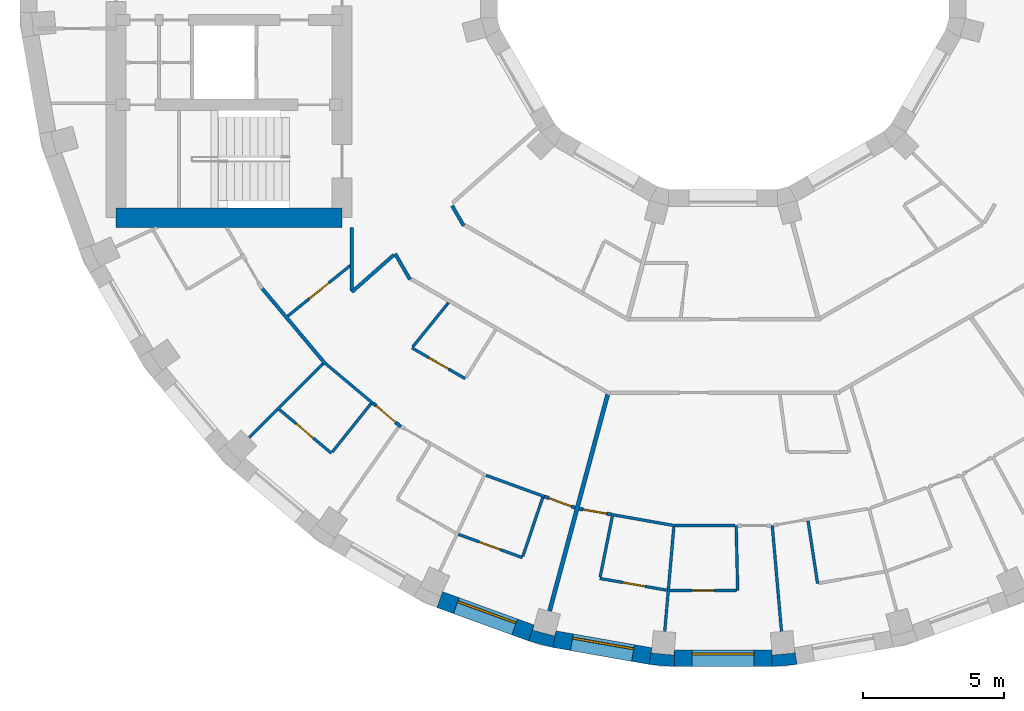
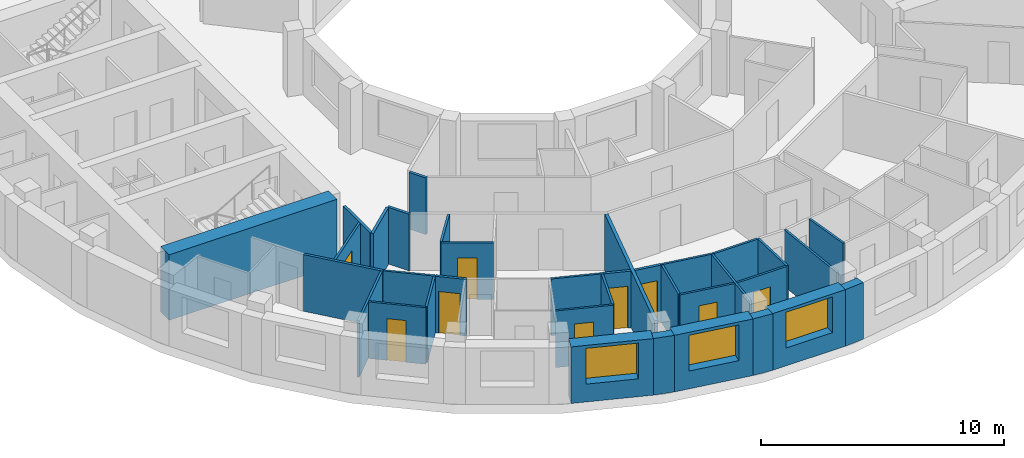
# One storey, part 4 of 14: 35 walls, 9 doors, 3 windows, 12 openings.
"""IFC4 building model written with IfcOpenShell, lengths in metres."""

import ifcopenshell
import ifcopenshell.guid

model = None  # the IFC model being written
_history = None  # IfcOwnerHistory: only IFC2X3 demands one
_inside = {}  # id of a spatial element -> (the spatial element, [elements in it])
_under = {}  # id of a project, library or spatial element -> (it, [spatial elements below it])
_declared = {}  # id of a project -> (the project, [libraries it declares])
_typed = {}  # id of a type object -> (the type object, [elements of that type])
_made_of = {}  # id of a material, layer set ... -> (it, [elements and type objects made of it])


def new_model(schema):
    """Start an empty IFC model of exactly this schema.

    Asked for "IFC4X3", IfcOpenShell would pick the latest addendum, in which some entities
    have other attributes; the version numbers below select the first issue.
    IFC2X3 requires an IfcOwnerHistory on every rooted entity: one is made here for all.
    """
    global model, _history
    if schema == "IFC4X3":
        model = ifcopenshell.file(schema_version=(4, 3, 0, 0))
    else:
        model = ifcopenshell.file(schema=schema)
    _inside.clear()
    _under.clear()
    _declared.clear()
    _typed.clear()
    _made_of.clear()
    _history = None
    if model.schema == "IFC2X3":
        org = make("IfcOrganization", Name="unknown")
        user = make(
            "IfcPersonAndOrganization",
            ThePerson=make("IfcPerson", FamilyName="unknown"),
            TheOrganization=org,
        )
        app = make(
            "IfcApplication",
            ApplicationDeveloper=org,
            Version="unknown",
            ApplicationFullName="unknown",
            ApplicationIdentifier="unknown",
        )
        _history = make(
            "IfcOwnerHistory",
            OwningUser=user,
            OwningApplication=app,
            ChangeAction="ADDED",
            CreationDate=0,
        )
    return model


def make(cls, **values):
    """One entity of the class cls with the attributes given. An attribute that is None is left unset."""
    return model.create_entity(
        cls, **{name: value for name, value in values.items() if value is not None}
    )


def rooted(cls, **values):
    """An entity with a GlobalId (a new one), such as an element, a storey or a relation."""
    return make(cls, GlobalId=ifcopenshell.guid.new(), OwnerHistory=_history, **values)


def si_unit(unit_type, name, prefix=None):
    """IfcSIUnit, for example si_unit("LENGTHUNIT", "METRE", prefix="MILLI")."""
    return make("IfcSIUnit", UnitType=unit_type, Prefix=prefix, Name=name)


def assignment(units):
    """IfcUnitAssignment: the units of a project."""
    return None if units is None else make("IfcUnitAssignment", Units=units)


def point(xyz):
    """IfcCartesianPoint."""
    return None if xyz is None else make("IfcCartesianPoint", Coordinates=xyz)


def direction(xyz):
    """IfcDirection."""
    return None if xyz is None else make("IfcDirection", DirectionRatios=xyz)


def frame(location, z_axis=None, x_axis=None):
    """IfcAxis2Placement3D, a coordinate frame: its origin and axes. An axis left out is left unset."""
    return make(
        "IfcAxis2Placement3D",
        Location=point(location),
        Axis=direction(z_axis),
        RefDirection=direction(x_axis),
    )


def frame_2d(location, x_axis=None):
    """IfcAxis2Placement2D, a coordinate frame in the plane: its origin and x axis."""
    return make(
        "IfcAxis2Placement2D", Location=point(location), RefDirection=direction(x_axis)
    )


def origin():
    """The frame at (0, 0, 0) with its axes left unset."""
    return frame((0.0, 0.0, 0.0))


def place(relative_to, where):
    """IfcLocalPlacement: puts the frame where relative to a parent placement (None: the world)."""
    return make(
        "IfcLocalPlacement", PlacementRelTo=relative_to, RelativePlacement=where
    )


def context(
    kind, dimensions, precision=None, world=None, true_north=None, identifier=None
):
    """IfcGeometricRepresentationContext, for example the 3D "Model" context."""
    return make(
        "IfcGeometricRepresentationContext",
        ContextIdentifier=identifier,
        ContextType=kind,
        CoordinateSpaceDimension=dimensions,
        Precision=precision,
        WorldCoordinateSystem=world,
        TrueNorth=true_north,
    )


def subcontext(parent, identifier, kind, view, scale=None):
    """IfcGeometricRepresentationSubContext, for example "Body" below "Model"."""
    return make(
        "IfcGeometricRepresentationSubContext",
        ContextIdentifier=identifier,
        ContextType=kind,
        ParentContext=parent,
        TargetScale=scale,
        TargetView=view,
    )


def project(units=None, contexts=None):
    """IfcProject with its units and contexts."""
    return rooted(
        "IfcProject",
        Name="project",
        RepresentationContexts=contexts,
        UnitsInContext=assignment(units),
    )


def spatial(cls, under=None, at=None, **own):
    """A site, building, storey or space (cls), placed at a placement, below another one or the project."""
    s = rooted(cls, ObjectPlacement=at, **own)
    if under is not None:
        _under.setdefault(under.id(), (under, []))[1].append(s)
    return s


def polyline(points):
    """IfcPolyline through the points."""
    return make("IfcPolyline", Points=[point(p) for p in points])


def profile(cls, at=None, kind="AREA", **sizes):
    """A parametric profile (cls). Its sizes go by their IFC names, for example OverallWidth=200.0."""
    return make(cls, ProfileType=kind, Position=at, **sizes)


def rectangle(**sizes):
    """IfcRectangleProfileDef."""
    return profile("IfcRectangleProfileDef", **sizes)


def outline(outer, holes=None, kind="AREA"):
    """IfcArbitraryClosedProfileDef: a profile drawn as a closed curve; with holes, ...WithVoids."""
    if holes is None:
        return make("IfcArbitraryClosedProfileDef", ProfileType=kind, OuterCurve=outer)
    return make(
        "IfcArbitraryProfileDefWithVoids",
        ProfileType=kind,
        OuterCurve=outer,
        InnerCurves=holes,
    )


def extrude(swept, where, along, depth):
    """IfcExtrudedAreaSolid: the profile swept, set in the frame where, extruded along a direction by depth."""
    return make(
        "IfcExtrudedAreaSolid",
        SweptArea=swept,
        Position=where,
        ExtrudedDirection=direction(along),
        Depth=depth,
    )


def shape(context_of_items, identifier, shape_type, items):
    """IfcShapeRepresentation: the items that make up one representation, for example the "Body"."""
    return make(
        "IfcShapeRepresentation",
        ContextOfItems=context_of_items,
        RepresentationIdentifier=identifier,
        RepresentationType=shape_type,
        Items=items,
    )


def material(Name=None, Category=None):
    """IfcMaterial."""
    return make("IfcMaterial", Name=Name, Category=Category)


def layer(
    of_material, thickness, ventilated=None, Name=None, Category=None, Priority=None
):
    """IfcMaterialLayer: one layer of a wall or slab, of a material (None: an air gap)."""
    return make(
        "IfcMaterialLayer",
        Material=of_material,
        LayerThickness=thickness,
        IsVentilated=ventilated,
        Name=Name,
        Category=Category,
        Priority=Priority,
    )


def layer_set(layers, Name=None):
    """IfcMaterialLayerSet."""
    return make("IfcMaterialLayerSet", MaterialLayers=layers, LayerSetName=Name)


def made_of(thing, what):
    """Note that an element or type object is made of a material, layer set ...; save() writes the relation."""
    if what is not None:
        _made_of.setdefault(what.id(), (what, []))[1].append(thing)
    return thing


def type_object(cls, material=None, **own):
    """A type object (cls), such as IfcWallType, which elements share."""
    return made_of(rooted(cls, **own), material)


def element(
    cls,
    number,
    at=None,
    inside=None,
    cuts=None,
    type_object=None,
    material=None,
    context=None,
    identifier="Body",
    shape_type=None,
    held_by="IfcProductDefinitionShape",
    body=None,
    shapes=None,
    **own,
):
    """One element of the class cls, such as IfcWall. Its Tag is "e" and its number.

    at: its placement. inside: the storey or other place that contains it. cuts: it is an
    opening in that element (IfcRelVoidsElement). A single representation is given by context,
    identifier, shape_type and body (its items); several are given by shapes. held_by: the class
    of the entity that holds the representations. save() writes the other relations.
    """
    e = rooted(cls, Tag="e%d" % number, ObjectPlacement=at, **own)
    if body is not None:
        shapes = [shape(context, identifier, shape_type, body)]
    if shapes is not None:
        e.Representation = make(held_by, Representations=shapes)
    if inside is not None:
        _inside.setdefault(inside.id(), (inside, []))[1].append(e)
    if cuts is not None:
        rooted(
            "IfcRelVoidsElement", RelatingBuildingElement=cuts, RelatedOpeningElement=e
        )
    if type_object is not None:
        _typed.setdefault(type_object.id(), (type_object, []))[1].append(e)
    return made_of(e, material)


def fill(opening, filler):
    """IfcRelFillsElement: the door or window that sits in an opening."""
    return rooted(
        "IfcRelFillsElement",
        RelatingOpeningElement=opening,
        RelatedBuildingElement=filler,
    )


def aggregate(whole, parts):
    """IfcRelAggregates: a whole, such as a stair, and the parts it consists of."""
    return rooted("IfcRelAggregates", RelatingObject=whole, RelatedObjects=parts)


def save(model, path):
    """Write the relations noted so far, then the file.

    IfcRelAggregates (storeys below a building ...), IfcRelContainedInSpatialStructure (elements
    in a storey), IfcRelDefinesByType, IfcRelAssociatesMaterial and IfcRelDeclares: one each for
    every whole, place, type object, material and project.
    """
    for whole, parts in _under.values():
        aggregate(whole, parts)
    for where, things in _inside.values():
        rooted(
            "IfcRelContainedInSpatialStructure",
            RelatedElements=things,
            RelatingStructure=where,
        )
    for kind, things in _typed.values():
        rooted("IfcRelDefinesByType", RelatedObjects=things, RelatingType=kind)
    for what, things in _made_of.values():
        rooted("IfcRelAssociatesMaterial", RelatedObjects=things, RelatingMaterial=what)
    for by, libraries in _declared.values():
        rooted("IfcRelDeclares", RelatingContext=by, RelatedDefinitions=libraries)
    model.write(path)


model = new_model("IFC4")

# Units and contexts
model_context = context("Model", 3, precision=1e-05, world=origin(), true_north=direction((0.0, 1.0)))
body_context = subcontext(model_context, "Body", "Model", "MODEL_VIEW")
ifc_project = project(units=[si_unit("LENGTHUNIT", "METRE"), si_unit("AREAUNIT", "SQUARE_METRE"), si_unit("VOLUMEUNIT", "CUBIC_METRE"), si_unit("PLANEANGLEUNIT", "RADIAN"), si_unit("MASSUNIT", "GRAM", prefix="KILO")], contexts=[model_context])

# Site, building, storey
site_placement = place(None, origin())
site = spatial("IfcSite", under=ifc_project, at=site_placement, CompositionType="ELEMENT")
building_placement = place(site_placement, origin())
building = spatial("IfcBuilding", under=site, at=building_placement, Name="Saqina Gate Tower", CompositionType="ELEMENT")
storey_placement = place(building_placement, frame((0.0, 0.0, 170.699951171875)))
storey = spatial("IfcBuildingStorey", under=building, at=storey_placement, Name="L48", CompositionType="ELEMENT", Elevation=170.699951171875)

# Walls
ifc_material_1 = material(Name="Brick masonry (buff)", Category="masonry")
wall_type_1 = type_object("IfcWallType", Name="BRICK PIER COPING BUFF", PredefinedType="SOLIDWALL", material=ifc_material_1)
wall_1_placement = place(storey_placement, origin())
element("IfcWall", 1, at=wall_1_placement, inside=storey, type_object=wall_type_1, Name="Pier cap L48 column 26", PredefinedType="SOLIDWALL", context=body_context, shape_type="SweptSolid", body=[
    extrude(outline(polyline([(-6.0234375, -24.22705078125), (-5.919189453125, -23.635986328125), (-5.967529296875, -23.81689453125), (-6.740478515625, -23.610107421875), (-6.69189453125, -23.428955078125), (-6.897216796875, -23.992919921875), (-6.0234375, -24.22705078125)])), origin(), (0.0, 0.0, 1.0), 2.85009765625),
])
wall_2_placement = place(storey_placement, origin())
element("IfcWall", 2, at=wall_2_placement, inside=storey, type_object=wall_type_1, Name="Pier cap L48 column 27", PredefinedType="SOLIDWALL", context=body_context, shape_type="SweptSolid", body=[
    extrude(outline(polyline([(-2.6259765625, -24.825927734375), (-1.724853515625, -24.90478515625), (-1.724853515625, -24.304931640625), (-1.7412109375, -24.491455078125), (-2.5380859375, -24.421630859375), (-2.521728515625, -24.235107421875), (-2.6259765625, -24.825927734375)])), origin(), (0.0, 0.0, 1.0), 2.85009765625),
])
wall_3_placement = place(storey_placement, origin())
element("IfcWall", 3, at=wall_3_placement, inside=storey, type_object=wall_type_1, Name="Pier cap L48 column 28", PredefinedType="SOLIDWALL", context=body_context, shape_type="SweptSolid", body=[
    extrude(outline(polyline([(1.724853515625, -24.90478515625), (2.6259765625, -24.825927734375), (2.521728515625, -24.235107421875), (2.5380859375, -24.421630859375), (1.7412109375, -24.491455078125), (1.724853515625, -24.304931640625), (1.724853515625, -24.90478515625)])), origin(), (0.0, 0.0, 1.0), 2.85009765625),
])

# Wall, opening, window
ifc_material_2 = material(Name="Brick masonry (buff)", Category="masonry")
ifc_layer_1 = layer(ifc_material_2, 0.60009765625)
ifc_layer_set_1 = layer_set([ifc_layer_1], Name="FW-BRICK-BUFF")
wall_type_2 = type_object("IfcWallType", Name="FW-BRICK-BUFF", PredefinedType="SOLIDWALL", material=ifc_layer_set_1)
wall_4_placement = place(storey_placement, frame((-10.0361328125, -22.531005859375, 0.0), z_axis=(0.0, 0.0, 1.0), x_axis=(0.93968799822, -0.342032843455, 0.0)))
wall_4 = element("IfcWall", 4, at=wall_4_placement, inside=storey, type_object=wall_type_2, Name="Facade wall L48 facet 25", PredefinedType="SOLIDWALL", context=body_context, shape_type="SweptSolid", body=[
    extrude(rectangle(XDim=3.44970703125, YDim=0.60009765625, at=frame_2d((1.724853515625, 0.0))), origin(), (0.0, 0.0, 1.0), 2.85009765625),
])
opening_1_placement = place(wall_4_placement, frame((0.625, 0.0, 0.89990234375)))
opening_1 = element("IfcOpeningElement", 5, at=opening_1_placement, cuts=wall_4, Name="Opening G14-W18", PredefinedType="OPENING", context=body_context, shape_type="SweptSolid", body=[
    extrude(rectangle(XDim=2.199951171875, YDim=1.800048828125, at=frame_2d((1.10009765625, 0.89990234375))), frame((0.0, 0.31201171875, 0.0), z_axis=(0.0, -1.0, 0.0), x_axis=(1.0, 0.0, 0.0)), (0.0, 0.0, 1.0), 0.6240234375),
])
ifc_material_3 = material(Name="Aluminium glazing", Category="aluminium")
window_type = type_object("IfcWindowType", Name="WN-C", PartitioningType="SINGLE_PANEL", PredefinedType="WINDOW", material=ifc_material_3)
window_1_placement = place(opening_1_placement, origin())
window_1 = element("IfcWindow", 6, at=window_1_placement, inside=storey, type_object=window_type, Name="Window L48 facet 25", OverallHeight=1.800048828125, OverallWidth=2.199951171875, PartitioningType="SINGLE_PANEL", PredefinedType="WINDOW", context=body_context, shape_type="SweptSolid", body=[
    extrude(rectangle(XDim=2.199951171875, YDim=1.800048828125, at=frame_2d((1.10009765625, 0.89990234375))), frame((0.0, 0.179931640625, 0.0), z_axis=(0.0, -1.0, 0.0), x_axis=(1.0, 0.0, 0.0)), (0.0, 0.0, 1.0), 0.06005859375),
])
fill(opening_1, window_1)

wall_5_placement = place(storey_placement, frame((-5.97119140625, -23.931640625, 0.0), z_axis=(0.0, 0.0, 1.0), x_axis=(0.984814892183, -0.173607684551, 0.0)))
wall_5 = element("IfcWall", 7, at=wall_5_placement, inside=storey, type_object=wall_type_2, Name="Facade wall L48 facet 26", PredefinedType="SOLIDWALL", context=body_context, shape_type="SweptSolid", body=[
    extrude(rectangle(XDim=3.44970703125, YDim=0.60009765625, at=frame_2d((1.724853515625, 0.0))), origin(), (0.0, 0.0, 1.0), 2.85009765625),
])
opening_2_placement = place(wall_5_placement, frame((0.625, 0.0, 0.89990234375)))
opening_2 = element("IfcOpeningElement", 8, at=opening_2_placement, cuts=wall_5, Name="Opening G14-W19", PredefinedType="OPENING", context=body_context, shape_type="SweptSolid", body=[
    extrude(rectangle(XDim=2.199951171875, YDim=1.800048828125, at=frame_2d((1.10009765625, 0.89990234375))), frame((0.0, 0.31201171875, 0.0), z_axis=(0.0, -1.0, 0.0), x_axis=(1.0, 0.0, 0.0)), (0.0, 0.0, 1.0), 0.6240234375),
])
window_2_placement = place(opening_2_placement, origin())
window_2 = element("IfcWindow", 9, at=window_2_placement, inside=storey, type_object=window_type, Name="Window L48 facet 26", OverallHeight=1.800048828125, OverallWidth=2.199951171875, PartitioningType="SINGLE_PANEL", PredefinedType="WINDOW", context=body_context, shape_type="SweptSolid", body=[
    extrude(rectangle(XDim=2.199951171875, YDim=1.800048828125, at=frame_2d((1.10009765625, 0.89990234375))), frame((0.0, 0.179931640625, 0.0), z_axis=(0.0, -1.0, 0.0), x_axis=(1.0, 0.0, 0.0)), (0.0, 0.0, 1.0), 0.06005859375),
])
fill(opening_2, window_2)

wall_6_placement = place(storey_placement, frame((-1.724853515625, -24.60498046875, 0.0), z_axis=(0.0, 0.0, 1.0), x_axis=(1.0, 0.0, 0.0)))
wall_6 = element("IfcWall", 10, at=wall_6_placement, inside=storey, type_object=wall_type_2, Name="Facade wall L48 facet 27", PredefinedType="SOLIDWALL", context=body_context, shape_type="SweptSolid", body=[
    extrude(rectangle(XDim=3.44970703125, YDim=0.60009765625, at=frame_2d((1.724853515625, 0.0))), origin(), (0.0, 0.0, 1.0), 2.85009765625),
])
opening_3_placement = place(wall_6_placement, frame((0.625, 0.0, 0.89990234375)))
opening_3 = element("IfcOpeningElement", 11, at=opening_3_placement, cuts=wall_6, Name="Opening G14-W20", PredefinedType="OPENING", context=body_context, shape_type="SweptSolid", body=[
    extrude(rectangle(XDim=2.199951171875, YDim=1.800048828125, at=frame_2d((1.10009765625, 0.89990234375))), frame((0.0, 0.31201171875, 0.0), z_axis=(0.0, -1.0, 0.0), x_axis=(1.0, 0.0, 0.0)), (0.0, 0.0, 1.0), 0.6240234375),
])
window_3_placement = place(opening_3_placement, origin())
window_3 = element("IfcWindow", 12, at=window_3_placement, inside=storey, type_object=window_type, Name="Window L48 facet 27", OverallHeight=1.800048828125, OverallWidth=2.199951171875, PartitioningType="SINGLE_PANEL", PredefinedType="WINDOW", context=body_context, shape_type="SweptSolid", body=[
    extrude(rectangle(XDim=2.199951171875, YDim=1.800048828125, at=frame_2d((1.10009765625, 0.89990234375))), frame((0.0, 0.179931640625, 0.0), z_axis=(0.0, -1.0, 0.0), x_axis=(1.0, 0.0, 0.0)), (0.0, 0.0, 1.0), 0.06005859375),
])
fill(opening_3, window_3)

# Walls
ifc_material_4 = material(Name="Gypsum board on steel studs, 100 mm", Category="steel")
ifc_layer_2 = layer(ifc_material_4, 0.10009765625)
ifc_layer_set_2 = layer_set([ifc_layer_2], Name="PARTITION 100")
wall_type_3 = type_object("IfcWallType", Name="PARTITION 100", PredefinedType="PARTITIONING", material=ifc_layer_set_2)
wall_7_placement = place(storey_placement, frame((0.462890625, -19.905029296875, 0.0), z_axis=(0.0, 0.0, 1.0), x_axis=(0.023557837766, -0.99972247563, 0.0)))
element("IfcWall", 13, at=wall_7_placement, inside=storey, type_object=wall_type_3, Name="PARTITION PW3-02", PredefinedType="PARTITIONING", context=body_context, shape_type="SweptSolid", body=[
    extrude(rectangle(XDim=2.30078125, YDim=0.10009765625, at=frame_2d((1.150390625, 0.0))), origin(), (0.0, 0.0, 1.0), 2.85009765625),
])
wall_8_placement = place(storey_placement, frame((1.740966796875, -19.905029296875, 0.0), z_axis=(0.0, 0.0, 1.0), x_axis=(0.087033201937, -0.996205411429, 0.0)))
element("IfcWall", 14, at=wall_8_placement, inside=storey, type_object=wall_type_3, Name="PARTITION PW3-05", PredefinedType="PARTITIONING", context=body_context, shape_type="SweptSolid", body=[
    extrude(rectangle(XDim=3.7587890625, YDim=0.10009765625, at=frame_2d((1.87939453125, 0.0))), origin(), (0.0, 0.0, 1.0), 2.85009765625),
])
wall_9_placement = place(storey_placement, frame((3.009521484375, -19.744873046875, 0.0), z_axis=(0.0, 0.0, 1.0), x_axis=(0.150778111259, -0.988567631053, 0.0)))
element("IfcWall", 15, at=wall_9_placement, inside=storey, type_object=wall_type_3, Name="PARTITION PW3-09", PredefinedType="PARTITIONING", context=body_context, shape_type="SweptSolid", body=[
    extrude(rectangle(XDim=2.23779296875, YDim=0.10009765625, at=frame_2d((1.118896484375, 0.0))), origin(), (0.0, 0.0, 1.0), 2.85009765625),
])

# Wall, opening, door
wall_10_placement = place(storey_placement, frame((-15.72265625, -15.793212890625, 0.0), z_axis=(0.0, 0.0, 1.0), x_axis=(0.766024146731, -0.642811797204, 0.0)))
wall_10 = element("IfcWall", 16, at=wall_10_placement, inside=storey, type_object=wall_type_3, Name="PARTITION PW3-28", PredefinedType="PARTITIONING", context=body_context, shape_type="SweptSolid", body=[
    extrude(rectangle(XDim=2.409423828125, YDim=0.10009765625, at=frame_2d((1.20458984375, 0.0))), origin(), (0.0, 0.0, 1.0), 2.85009765625),
])
opening_4_placement = place(wall_10_placement, frame((0.77978515625, 0.0, 0.0)))
opening_4 = element("IfcOpeningElement", 17, at=opening_4_placement, cuts=wall_10, Name="Opening G14-D34", PredefinedType="OPENING", context=body_context, shape_type="SweptSolid", body=[
    extrude(rectangle(XDim=0.800048828125, YDim=2.10009765625, at=frame_2d((0.39990234375, 1.050048828125))), frame((0.0, 0.06201171875, 0.0), z_axis=(0.0, -1.0, 0.0), x_axis=(1.0, 0.0, 0.0)), (0.0, 0.0, 1.0), 0.1240234375),
])
ifc_material_5 = material(Name="Timber door leaf, 800 mm", Category="wood")
door_type_1 = type_object("IfcDoorType", Name="DOOR 800 TIMBER", OperationType="SINGLE_SWING_LEFT", PredefinedType="DOOR", material=ifc_material_5)
door_1_placement = place(opening_4_placement, frame((0.800048828125, 0.0, 0.0), z_axis=(0.0, 0.0, 1.0), x_axis=(-1.0, 0.0, 0.0)))
door_1 = element("IfcDoor", 18, at=door_1_placement, inside=storey, type_object=door_type_1, Name="DOOR G14-D34", OperationType="SINGLE_SWING_RIGHT", OverallHeight=2.10009765625, OverallWidth=0.800048828125, PredefinedType="DOOR", context=body_context, shape_type="SweptSolid", body=[
    extrude(rectangle(XDim=0.800048828125, YDim=2.10009765625, at=frame_2d((0.39990234375, 1.050048828125))), frame((0.0, 0.02490234375, 0.0), z_axis=(0.0, -1.0, 0.0), x_axis=(1.0, 0.0, 0.0)), (0.0, 0.0, 1.0), 0.050048828125),
])
fill(opening_4, door_1)

# Wall
wall_11_placement = place(storey_placement, frame((-14.0810546875, -14.169189453125, 0.0), z_axis=(0.0, 0.0, 1.0), x_axis=(0.766108401036, -0.642711379907, 0.0)))
element("IfcWall", 19, at=wall_11_placement, inside=storey, type_object=wall_type_3, Name="PARTITION PW3-29", PredefinedType="PARTITIONING", context=body_context, shape_type="SweptSolid", body=[
    extrude(rectangle(XDim=2.192138671875, YDim=0.10009765625, at=frame_2d((1.09619140625, 0.0))), origin(), (0.0, 0.0, 1.0), 2.85009765625),
])

# Wall, opening, door
wall_12_placement = place(storey_placement, frame((-11.02294921875, -13.612060546875, 0.0), z_axis=(0.0, 0.0, 1.0), x_axis=(0.86608684879, -0.499893559023, 0.0)))
wall_12 = element("IfcWall", 20, at=wall_12_placement, inside=storey, type_object=wall_type_3, Name="PARTITION PW3-37", PredefinedType="PARTITIONING", context=body_context, shape_type="SweptSolid", body=[
    extrude(rectangle(XDim=2.18212890625, YDim=0.10009765625, at=frame_2d((1.091064453125, 0.0))), origin(), (0.0, 0.0, 1.0), 2.85009765625),
])
opening_5_placement = place(wall_12_placement, frame((0.691162109375, 0.0, 0.0)))
opening_5 = element("IfcOpeningElement", 21, at=opening_5_placement, cuts=wall_12, Name="Opening G14-D36", PredefinedType="OPENING", context=body_context, shape_type="SweptSolid", body=[
    extrude(rectangle(XDim=0.800048828125, YDim=2.10009765625, at=frame_2d((0.39990234375, 1.050048828125))), frame((0.0, 0.06201171875, 0.0), z_axis=(0.0, -1.0, 0.0), x_axis=(1.0, 0.0, 0.0)), (0.0, 0.0, 1.0), 0.1240234375),
])
door_2_placement = place(opening_5_placement, frame((0.800048828125, 0.0, 0.0), z_axis=(0.0, 0.0, 1.0), x_axis=(-1.0, 0.0, 0.0)))
door_2 = element("IfcDoor", 22, at=door_2_placement, inside=storey, type_object=door_type_1, Name="DOOR G14-D36", OperationType="SINGLE_SWING_RIGHT", OverallHeight=2.10009765625, OverallWidth=0.800048828125, PredefinedType="DOOR", context=body_context, shape_type="SweptSolid", body=[
    extrude(rectangle(XDim=0.800048828125, YDim=2.10009765625, at=frame_2d((0.39990234375, 1.050048828125))), frame((0.0, 0.02490234375, 0.0), z_axis=(0.0, -1.0, 0.0), x_axis=(1.0, 0.0, 0.0)), (0.0, 0.0, 1.0), 0.050048828125),
])
fill(opening_5, door_2)

wall_13_placement = place(storey_placement, frame((-9.373046875, -20.218017578125, 0.0), z_axis=(0.0, 0.0, 1.0), x_axis=(0.939707598657, -0.34197898916, 0.0)))
wall_13 = element("IfcWall", 23, at=wall_13_placement, inside=storey, type_object=wall_type_3, Name="PARTITION PW3-42", PredefinedType="PARTITIONING", context=body_context, shape_type="SweptSolid", body=[
    extrude(rectangle(XDim=2.409423828125, YDim=0.10009765625, at=frame_2d((1.20458984375, 0.0))), origin(), (0.0, 0.0, 1.0), 2.85009765625),
])
opening_6_placement = place(wall_13_placement, frame((0.779541015625, 0.0, 0.0)))
opening_6 = element("IfcOpeningElement", 24, at=opening_6_placement, cuts=wall_13, Name="Opening G14-D42", PredefinedType="OPENING", context=body_context, shape_type="SweptSolid", body=[
    extrude(rectangle(XDim=0.800048828125, YDim=2.10009765625, at=frame_2d((0.39990234375, 1.050048828125))), frame((0.0, 0.06201171875, 0.0), z_axis=(0.0, -1.0, 0.0), x_axis=(1.0, 0.0, 0.0)), (0.0, 0.0, 1.0), 0.1240234375),
])
door_3_placement = place(opening_6_placement, frame((0.800048828125, 0.0, 0.0), z_axis=(0.0, 0.0, 1.0), x_axis=(-1.0, 0.0, 0.0)))
door_3 = element("IfcDoor", 25, at=door_3_placement, inside=storey, type_object=door_type_1, Name="DOOR G14-D42", OperationType="SINGLE_SWING_RIGHT", OverallHeight=2.10009765625, OverallWidth=0.800048828125, PredefinedType="DOOR", context=body_context, shape_type="SweptSolid", body=[
    extrude(rectangle(XDim=0.800048828125, YDim=2.10009765625, at=frame_2d((0.39990234375, 1.050048828125))), frame((0.0, 0.02490234375, 0.0), z_axis=(0.0, -1.0, 0.0), x_axis=(1.0, 0.0, 0.0)), (0.0, 0.0, 1.0), 0.050048828125),
])
fill(opening_6, door_3)

# Wall
wall_14_placement = place(storey_placement, frame((-8.39697265625, -18.126220703125, 0.0), z_axis=(0.0, 0.0, 1.0), x_axis=(0.939676937302, -0.342063230271, 0.0)))
element("IfcWall", 26, at=wall_14_placement, inside=storey, type_object=wall_type_3, Name="PARTITION PW3-43", PredefinedType="PARTITIONING", context=body_context, shape_type="SweptSolid", body=[
    extrude(rectangle(XDim=2.2041015625, YDim=0.10009765625, at=frame_2d((1.10205078125, 0.0))), origin(), (0.0, 0.0, 1.0), 2.85009765625),
])

# Wall, opening, door
wall_15_placement = place(storey_placement, frame((-4.364990234375, -21.778076171875, 0.0), z_axis=(0.0, 0.0, 1.0), x_axis=(0.984820260231, -0.173577230762, 0.0)))
wall_15 = element("IfcWall", 27, at=wall_15_placement, inside=storey, type_object=wall_type_3, Name="PARTITION PW3-46", PredefinedType="PARTITIONING", context=body_context, shape_type="SweptSolid", body=[
    extrude(rectangle(XDim=2.409423828125, YDim=0.10009765625, at=frame_2d((1.20458984375, 0.0))), origin(), (0.0, 0.0, 1.0), 2.85009765625),
])
opening_7_placement = place(wall_15_placement, frame((0.82958984375, 0.0, 0.0)))
opening_7 = element("IfcOpeningElement", 28, at=opening_7_placement, cuts=wall_15, Name="Opening G14-D45", PredefinedType="OPENING", context=body_context, shape_type="SweptSolid", body=[
    extrude(rectangle(XDim=0.800048828125, YDim=2.10009765625, at=frame_2d((0.39990234375, 1.050048828125))), frame((0.0, 0.06201171875, 0.0), z_axis=(0.0, -1.0, 0.0), x_axis=(1.0, 0.0, 0.0)), (0.0, 0.0, 1.0), 0.1240234375),
])
door_4_placement = place(opening_7_placement, frame((0.800048828125, 0.0, 0.0), z_axis=(0.0, 0.0, 1.0), x_axis=(-1.0, 0.0, 0.0)))
door_4 = element("IfcDoor", 29, at=door_4_placement, inside=storey, type_object=door_type_1, Name="DOOR G14-D45", OperationType="SINGLE_SWING_LEFT", OverallHeight=2.10009765625, OverallWidth=0.800048828125, PredefinedType="DOOR", context=body_context, shape_type="SweptSolid", body=[
    extrude(rectangle(XDim=0.800048828125, YDim=2.10009765625, at=frame_2d((0.39990234375, 1.050048828125))), frame((0.0, 0.02490234375, 0.0), z_axis=(0.0, -1.0, 0.0), x_axis=(1.0, 0.0, 0.0)), (0.0, 0.0, 1.0), 0.050048828125),
])
fill(opening_7, door_4)

# Wall
wall_16_placement = place(storey_placement, frame((-3.961181640625, -19.513427734375, 0.0), z_axis=(0.0, 0.0, 1.0), x_axis=(0.984801677979, -0.173682627367, 0.0)))
element("IfcWall", 30, at=wall_16_placement, inside=storey, type_object=wall_type_3, Name="PARTITION PW3-47", PredefinedType="PARTITIONING", context=body_context, shape_type="SweptSolid", body=[
    extrude(rectangle(XDim=2.305419921875, YDim=0.10009765625, at=frame_2d((1.15283203125, 0.0))), origin(), (0.0, 0.0, 1.0), 2.85009765625),
])

# Wall, opening, door
wall_17_placement = place(storey_placement, frame((-1.89306640625, -22.205078125, 0.0), z_axis=(0.0, 0.0, 1.0), x_axis=(1.0, 0.0, 0.0)))
wall_17 = element("IfcWall", 31, at=wall_17_placement, inside=storey, type_object=wall_type_3, Name="PARTITION PW3-50", PredefinedType="PARTITIONING", context=body_context, shape_type="SweptSolid", body=[
    extrude(rectangle(XDim=2.360107421875, YDim=0.10009765625, at=frame_2d((1.18017578125, 0.0))), origin(), (0.0, 0.0, 1.0), 2.85009765625),
])
opening_8_placement = place(wall_17_placement, frame((0.780029296875, 0.0, 0.0)))
opening_8 = element("IfcOpeningElement", 32, at=opening_8_placement, cuts=wall_17, Name="Opening G14-D48", PredefinedType="OPENING", context=body_context, shape_type="SweptSolid", body=[
    extrude(rectangle(XDim=0.800048828125, YDim=2.10009765625, at=frame_2d((0.39990234375, 1.050048828125))), frame((0.0, 0.06201171875, 0.0), z_axis=(0.0, -1.0, 0.0), x_axis=(1.0, 0.0, 0.0)), (0.0, 0.0, 1.0), 0.1240234375),
])
door_5_placement = place(opening_8_placement, frame((0.800048828125, 0.0, 0.0), z_axis=(0.0, 0.0, 1.0), x_axis=(-1.0, 0.0, 0.0)))
door_5 = element("IfcDoor", 33, at=door_5_placement, inside=storey, type_object=door_type_1, Name="DOOR G14-D48", OperationType="SINGLE_SWING_LEFT", OverallHeight=2.10009765625, OverallWidth=0.800048828125, PredefinedType="DOOR", context=body_context, shape_type="SweptSolid", body=[
    extrude(rectangle(XDim=0.800048828125, YDim=2.10009765625, at=frame_2d((0.39990234375, 1.050048828125))), frame((0.0, 0.02490234375, 0.0), z_axis=(0.0, -1.0, 0.0), x_axis=(1.0, 0.0, 0.0)), (0.0, 0.0, 1.0), 0.050048828125),
])
fill(opening_8, door_5)

# Wall
wall_18_placement = place(storey_placement, frame((-1.69091796875, -19.905029296875, 0.0), z_axis=(0.0, 0.0, 1.0), x_axis=(1.0, 0.0, 0.0)))
element("IfcWall", 34, at=wall_18_placement, inside=storey, type_object=wall_type_3, Name="PARTITION PW3-51", PredefinedType="PARTITIONING", context=body_context, shape_type="SweptSolid", body=[
    extrude(rectangle(XDim=2.10400390625, YDim=0.10009765625, at=frame_2d((1.052001953125, 0.0))), origin(), (0.0, 0.0, 1.0), 2.85009765625),
])

# Wall, opening, door
wall_19_placement = place(storey_placement, frame((-15.42236328125, -12.48876953125, 0.0), z_axis=(0.0, 0.0, 1.0), x_axis=(0.777201155745, 0.629252225669, 0.0)))
wall_19 = element("IfcWall", 35, at=wall_19_placement, inside=storey, type_object=wall_type_3, Name="PARTITION PW3-74", PredefinedType="PARTITIONING", context=body_context, shape_type="SweptSolid", body=[
    extrude(rectangle(XDim=2.861328125, YDim=0.10009765625, at=frame_2d((1.4306640625, 0.0))), origin(), (0.0, 0.0, 1.0), 2.85009765625),
])
opening_9_placement = place(wall_19_placement, frame((0.980712890625, 0.0, 0.0)))
opening_9 = element("IfcOpeningElement", 36, at=opening_9_placement, cuts=wall_19, Name="Opening G14-D33", PredefinedType="OPENING", context=body_context, shape_type="SweptSolid", body=[
    extrude(rectangle(XDim=0.89990234375, YDim=2.10009765625, at=frame_2d((0.449951171875, 1.050048828125))), frame((0.0, 0.06201171875, 0.0), z_axis=(0.0, -1.0, 0.0), x_axis=(1.0, 0.0, 0.0)), (0.0, 0.0, 1.0), 0.1240234375),
])
ifc_material_6 = material(Name="Timber door leaf, 900 mm", Category="wood")
door_type_2 = type_object("IfcDoorType", Name="DOOR 900 TIMBER", OperationType="SINGLE_SWING_LEFT", PredefinedType="DOOR", material=ifc_material_6)
door_6_placement = place(opening_9_placement, frame((0.89990234375, 0.0, 0.0), z_axis=(0.0, 0.0, 1.0), x_axis=(-1.0, 0.0, 0.0)))
door_6 = element("IfcDoor", 37, at=door_6_placement, inside=storey, type_object=door_type_2, Name="DOOR G14-D33", OperationType="SINGLE_SWING_LEFT", OverallHeight=2.10009765625, OverallWidth=0.89990234375, PredefinedType="DOOR", context=body_context, shape_type="SweptSolid", body=[
    extrude(rectangle(XDim=0.89990234375, YDim=2.10009765625, at=frame_2d((0.449951171875, 1.050048828125))), frame((0.0, 0.02490234375, 0.0), z_axis=(0.0, -1.0, 0.0), x_axis=(1.0, 0.0, 0.0)), (0.0, 0.0, 1.0), 0.050048828125),
])
fill(opening_9, door_6)

# Walls
wall_20_placement = place(storey_placement, frame((-16.78662109375, -16.78662109375, 0.0), z_axis=(0.0, 0.0, 1.0), x_axis=(0.707106781187, 0.707106781187, 0.0)))
element("IfcWall", 38, at=wall_20_placement, inside=storey, type_object=wall_type_3, Name="PARTITION PW3-78", PredefinedType="PARTITIONING", context=body_context, shape_type="SweptSolid", body=[
    extrude(rectangle(XDim=3.696044921875, YDim=0.10009765625, at=frame_2d((1.84814453125, 0.0))), origin(), (0.0, 0.0, 1.0), 2.85009765625),
])
wall_21_placement = place(storey_placement, frame((-10.991455078125, -13.5732421875, 0.0), z_axis=(0.0, 0.0, 1.0), x_axis=(0.629327284659, 0.777140379072, 0.0)))
element("IfcWall", 39, at=wall_21_placement, inside=storey, type_object=wall_type_3, Name="PARTITION PW3-83", PredefinedType="PARTITIONING", context=body_context, shape_type="SweptSolid", body=[
    extrude(rectangle(XDim=2.013427734375, YDim=0.10009765625, at=frame_2d((1.0068359375, 0.0))), origin(), (0.0, 0.0, 1.0), 2.85009765625),
])
wall_22_placement = place(storey_placement, frame((-13.845703125, -17.302978515625, 0.0), z_axis=(0.0, 0.0, 1.0), x_axis=(0.624722111344, 0.780847157642, 0.0)))
element("IfcWall", 40, at=wall_22_placement, inside=storey, type_object=wall_type_3, Name="PARTITION PW3-84", PredefinedType="PARTITIONING", context=body_context, shape_type="SweptSolid", body=[
    extrude(rectangle(XDim=2.2001953125, YDim=0.10009765625, at=frame_2d((1.10009765625, 0.0))), origin(), (0.0, 0.0, 1.0), 2.85009765625),
])
wall_23_placement = place(storey_placement, frame((-7.093017578125, -20.99462890625, 0.0), z_axis=(0.0, 0.0, 1.0), x_axis=(0.320053851591, 0.947399351953, 0.0)))
element("IfcWall", 41, at=wall_23_placement, inside=storey, type_object=wall_type_3, Name="PARTITION PW3-96", PredefinedType="PARTITIONING", context=body_context, shape_type="SweptSolid", body=[
    extrude(rectangle(XDim=2.199951171875, YDim=0.10009765625, at=frame_2d((1.10009765625, 0.0))), origin(), (0.0, 0.0, 1.0), 2.85009765625),
])
wall_24_placement = place(storey_placement, frame((-4.355224609375, -21.72900390625, 0.0), z_axis=(0.0, 0.0, 1.0), x_axis=(0.196888353759, 0.980425915689, 0.0)))
element("IfcWall", 42, at=wall_24_placement, inside=storey, type_object=wall_type_3, Name="PARTITION PW3-98", PredefinedType="PARTITIONING", context=body_context, shape_type="SweptSolid", body=[
    extrude(rectangle(XDim=2.1884765625, YDim=0.10009765625, at=frame_2d((1.09423828125, 0.0))), origin(), (0.0, 0.0, 1.0), 2.85009765625),
])
wall_25_placement = place(storey_placement, frame((-2.0673828125, -23.64990234375, 0.0), z_axis=(0.0, 0.0, 1.0), x_axis=(0.086819919703, 0.996224021766, 0.0)))
element("IfcWall", 43, at=wall_25_placement, inside=storey, type_object=wall_type_3, Name="PARTITION PW3-101", PredefinedType="PARTITIONING", context=body_context, shape_type="SweptSolid", body=[
    extrude(rectangle(XDim=3.708984375, YDim=0.10009765625, at=frame_2d((1.8544921875, 0.0))), origin(), (0.0, 0.0, 1.0), 2.85009765625),
])
ifc_material_7 = material(Name="Gypsum board on steel studs, 125 mm, fire rated", Category="steel")
ifc_layer_3 = layer(ifc_material_7, 0.125)
ifc_layer_set_3 = layer_set([ifc_layer_3], Name="PARTITION EI 30 125")
wall_type_4 = type_object("IfcWallType", Name="PARTITION EI 30 125", PredefinedType="PARTITIONING", material=ifc_layer_set_3)
wall_26_placement = place(storey_placement, frame((-11.616943359375, -10.278076171875, 0.0), z_axis=(0.0, 0.0, 1.0), x_axis=(0.499956751108, -0.866050372104, 0.0)))
element("IfcWall", 44, at=wall_26_placement, inside=storey, type_object=wall_type_4, Name="PARTITION PW1-02", PredefinedType="PARTITIONING", context=body_context, shape_type="SweptSolid", body=[
    extrude(rectangle(XDim=1.05224609375, YDim=0.125, at=frame_2d((0.526123046875, 0.0))), origin(), (0.0, 0.0, 1.0), 2.85009765625),
])
wall_27_placement = place(storey_placement, frame((-9.598876953125, -8.57421875, 0.0), z_axis=(0.0, 0.0, 1.0), x_axis=(0.499619651844, -0.86624488656, 0.0)))
element("IfcWall", 45, at=wall_27_placement, inside=storey, type_object=wall_type_4, Name="PARTITION PW1-03", PredefinedType="PARTITIONING", context=body_context, shape_type="SweptSolid", body=[
    extrude(rectangle(XDim=0.822509765625, YDim=0.125, at=frame_2d((0.4111328125, 0.0))), origin(), (0.0, 0.0, 1.0), 2.85009765625),
])
wall_28_placement = place(storey_placement, frame((-16.324951171875, -11.5107421875, 0.0), z_axis=(0.0, 0.0, 1.0), x_axis=(0.642416987395, -0.766355279428, 0.0)))
element("IfcWall", 46, at=wall_28_placement, inside=storey, type_object=wall_type_4, Name="PARTITION PW1-08", PredefinedType="PARTITIONING", context=body_context, shape_type="SweptSolid", body=[
    extrude(rectangle(XDim=3.480712890625, YDim=0.125, at=frame_2d((1.740234375, 0.0))), origin(), (0.0, 0.0, 1.0), 2.85009765625),
])

# Wall, opening, door
wall_29_placement = place(storey_placement, frame((-12.398193359375, -15.573974609375, 0.0), z_axis=(0.0, 0.0, 1.0), x_axis=(0.763379112729, -0.645950718128, 0.0)))
wall_29 = element("IfcWall", 47, at=wall_29_placement, inside=storey, type_object=wall_type_4, Name="PARTITION PW1-13", PredefinedType="PARTITIONING", context=body_context, shape_type="SweptSolid", body=[
    extrude(rectangle(XDim=1.291015625, YDim=0.125, at=frame_2d((0.6455078125, 0.0))), origin(), (0.0, 0.0, 1.0), 2.85009765625),
])
opening_10_placement = place(wall_29_placement, frame((0.138916015625, 0.0, 0.0)))
opening_10 = element("IfcOpeningElement", 48, at=opening_10_placement, cuts=wall_29, Name="Opening G14-D35", PredefinedType="OPENING", context=body_context, shape_type="SweptSolid", body=[
    extrude(rectangle(XDim=0.89990234375, YDim=2.10009765625, at=frame_2d((0.449951171875, 1.050048828125))), frame((0.0, 0.074462890625, 0.0), z_axis=(0.0, -1.0, 0.0), x_axis=(1.0, 0.0, 0.0)), (0.0, 0.0, 1.0), 0.14892578125),
])
ifc_material_8 = material(Name="Fire door leaf EI 30, 900 mm")
door_type_3 = type_object("IfcDoorType", Name="DOOR 900 EI 30", OperationType="SINGLE_SWING_LEFT", PredefinedType="DOOR", material=ifc_material_8)
door_7_placement = place(opening_10_placement, origin())
door_7 = element("IfcDoor", 49, at=door_7_placement, inside=storey, type_object=door_type_3, Name="DOOR G14-D35", OperationType="SINGLE_SWING_RIGHT", OverallHeight=2.10009765625, OverallWidth=0.89990234375, PredefinedType="DOOR", context=body_context, shape_type="SweptSolid", body=[
    extrude(rectangle(XDim=0.89990234375, YDim=2.10009765625, at=frame_2d((0.449951171875, 1.050048828125))), frame((0.0, 0.02490234375, 0.0), z_axis=(0.0, -1.0, 0.0), x_axis=(1.0, 0.0, 0.0)), (0.0, 0.0, 1.0), 0.050048828125),
])
fill(opening_10, door_7)

wall_30_placement = place(storey_placement, frame((-6.325439453125, -18.878662109375, 0.0), z_axis=(0.0, 0.0, 1.0), x_axis=(0.93942221686, -0.342762160206, 0.0)))
wall_30 = element("IfcWall", 50, at=wall_30_placement, inside=storey, type_object=wall_type_4, Name="PARTITION PW1-22", PredefinedType="PARTITIONING", context=body_context, shape_type="SweptSolid", body=[
    extrude(rectangle(XDim=1.15380859375, YDim=0.125, at=frame_2d((0.576904296875, 0.0))), origin(), (0.0, 0.0, 1.0), 2.85009765625),
])
opening_11_placement = place(wall_30_placement, frame((0.16455078125, 0.0, 0.0)))
opening_11 = element("IfcOpeningElement", 51, at=opening_11_placement, cuts=wall_30, Name="Opening G14-D43", PredefinedType="OPENING", context=body_context, shape_type="SweptSolid", body=[
    extrude(rectangle(XDim=0.85009765625, YDim=2.10009765625, at=frame_2d((0.425048828125, 1.050048828125))), frame((0.0, 0.074462890625, 0.0), z_axis=(0.0, -1.0, 0.0), x_axis=(1.0, 0.0, 0.0)), (0.0, 0.0, 1.0), 0.14892578125),
])
ifc_material_9 = material(Name="Fire door leaf EI 30, 850 mm")
door_type_4 = type_object("IfcDoorType", Name="DOOR 850 EI 30", OperationType="SINGLE_SWING_LEFT", PredefinedType="DOOR", material=ifc_material_9)
door_8_placement = place(opening_11_placement, origin())
door_8 = element("IfcDoor", 52, at=door_8_placement, inside=storey, type_object=door_type_4, Name="DOOR G14-D43", OperationType="SINGLE_SWING_RIGHT", OverallHeight=2.10009765625, OverallWidth=0.85009765625, PredefinedType="DOOR", context=body_context, shape_type="SweptSolid", body=[
    extrude(rectangle(XDim=0.85009765625, YDim=2.10009765625, at=frame_2d((0.425048828125, 1.050048828125))), frame((0.0, 0.02490234375, 0.0), z_axis=(0.0, -1.0, 0.0), x_axis=(1.0, 0.0, 0.0)), (0.0, 0.0, 1.0), 0.050048828125),
])
fill(opening_11, door_8)

wall_31_placement = place(storey_placement, frame((-5.09716796875, -19.31298828125, 0.0), z_axis=(0.0, 0.0, 1.0), x_axis=(0.984787819846, -0.173761186352, 0.0)))
wall_31 = element("IfcWall", 53, at=wall_31_placement, inside=storey, type_object=wall_type_4, Name="PARTITION PW1-24", PredefinedType="PARTITIONING", context=body_context, shape_type="SweptSolid", body=[
    extrude(rectangle(XDim=1.153564453125, YDim=0.125, at=frame_2d((0.57666015625, 0.0))), origin(), (0.0, 0.0, 1.0), 2.85009765625),
])
opening_12_placement = place(wall_31_placement, frame((0.13916015625, 0.0, 0.0)))
opening_12 = element("IfcOpeningElement", 54, at=opening_12_placement, cuts=wall_31, Name="Opening G14-D44", PredefinedType="OPENING", context=body_context, shape_type="SweptSolid", body=[
    extrude(rectangle(XDim=0.85009765625, YDim=2.10009765625, at=frame_2d((0.425048828125, 1.050048828125))), frame((0.0, 0.074462890625, 0.0), z_axis=(0.0, -1.0, 0.0), x_axis=(1.0, 0.0, 0.0)), (0.0, 0.0, 1.0), 0.14892578125),
])
door_9_placement = place(opening_12_placement, origin())
door_9 = element("IfcDoor", 55, at=door_9_placement, inside=storey, type_object=door_type_4, Name="DOOR G14-D44", OperationType="SINGLE_SWING_LEFT", OverallHeight=2.10009765625, OverallWidth=0.85009765625, PredefinedType="DOOR", context=body_context, shape_type="SweptSolid", body=[
    extrude(rectangle(XDim=0.85009765625, YDim=2.10009765625, at=frame_2d((0.425048828125, 1.050048828125))), frame((0.0, 0.02490234375, 0.0), z_axis=(0.0, -1.0, 0.0), x_axis=(1.0, 0.0, 0.0)), (0.0, 0.0, 1.0), 0.050048828125),
])
fill(opening_12, door_9)

# Walls
wall_32_placement = place(storey_placement, frame((-13.14990234375, -11.634033203125, 0.0), z_axis=(0.0, 0.0, 1.0), x_axis=(0.748975424904, 0.662597776098, 0.0)))
element("IfcWall", 56, at=wall_32_placement, inside=storey, type_object=wall_type_4, Name="PARTITION PW1-42", PredefinedType="PARTITIONING", context=body_context, shape_type="SweptSolid", body=[
    extrude(rectangle(XDim=1.984130859375, YDim=0.125, at=frame_2d((0.9921875, 0.0))), origin(), (0.0, 0.0, 1.0), 2.85009765625),
])
wall_33_placement = place(storey_placement, frame((-13.14990234375, -11.571533203125, 0.0), z_axis=(0.0, 0.0, 1.0), x_axis=(0.0, 1.0, 0.0)))
element("IfcWall", 57, at=wall_33_placement, inside=storey, type_object=wall_type_4, Name="PARTITION PW1-51", PredefinedType="PARTITIONING", context=body_context, shape_type="SweptSolid", body=[
    extrude(rectangle(XDim=2.221435546875, YDim=0.125, at=frame_2d((1.11083984375, 0.0))), origin(), (0.0, 0.0, 1.0), 2.85009765625),
])
ifc_material_10 = material(Name="Gypsum board on steel studs, 150 mm, fire rated", Category="steel")
ifc_layer_4 = layer(ifc_material_10, 0.14990234375)
ifc_layer_set_4 = layer_set([ifc_layer_4], Name="PARTITION EI 60 150")
wall_type_5 = type_object("IfcWallType", Name="PARTITION EI 60 150", PredefinedType="PARTITIONING", material=ifc_layer_set_4)
wall_34_placement = place(storey_placement, frame((-6.1455078125, -22.9306640625, 0.0), z_axis=(0.0, 0.0, 1.0), x_axis=(0.259231390727, 0.965815244269, 0.0)))
element("IfcWall", 58, at=wall_34_placement, inside=storey, type_object=wall_type_5, Name="PARTITION PW2-05", PredefinedType="PARTITIONING", context=body_context, shape_type="SweptSolid", body=[
    extrude(rectangle(XDim=7.941162109375, YDim=0.14990234375, at=frame_2d((3.970703125, 0.0))), origin(), (0.0, 0.0, 1.0), 2.85009765625),
])
ifc_material_11 = material(Name="Concrete C60/75", Category="concrete")
ifc_layer_5 = layer(ifc_material_11, 0.699951171875)
ifc_layer_set_5 = layer_set([ifc_layer_5], Name="Concrete C60/75")
wall_type_6 = type_object("IfcWallType", Name="STR-CORE WALL-C-O", PredefinedType="SHEAR", material=ifc_layer_set_5)
wall_35_placement = place(storey_placement, frame((-13.5, -9.0, 0.0), z_axis=(0.0, 0.0, 1.0), x_axis=(-1.0, 0.0, 0.0)))
element("IfcWall", 59, at=wall_35_placement, inside=storey, type_object=wall_type_6, Name="CORE WALL L48 W-SE", PredefinedType="SHEAR", context=body_context, shape_type="SweptSolid", body=[
    extrude(rectangle(XDim=8.0, YDim=0.699951171875, at=frame_2d((4.0, 0.0))), origin(), (0.0, 0.0, 1.0), 3.300048828125),
])

save(model, "model.ifc")
